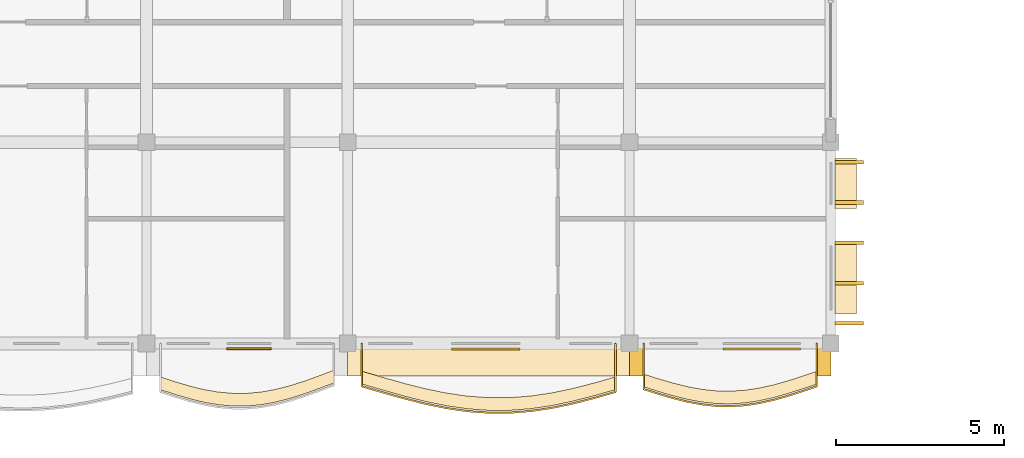
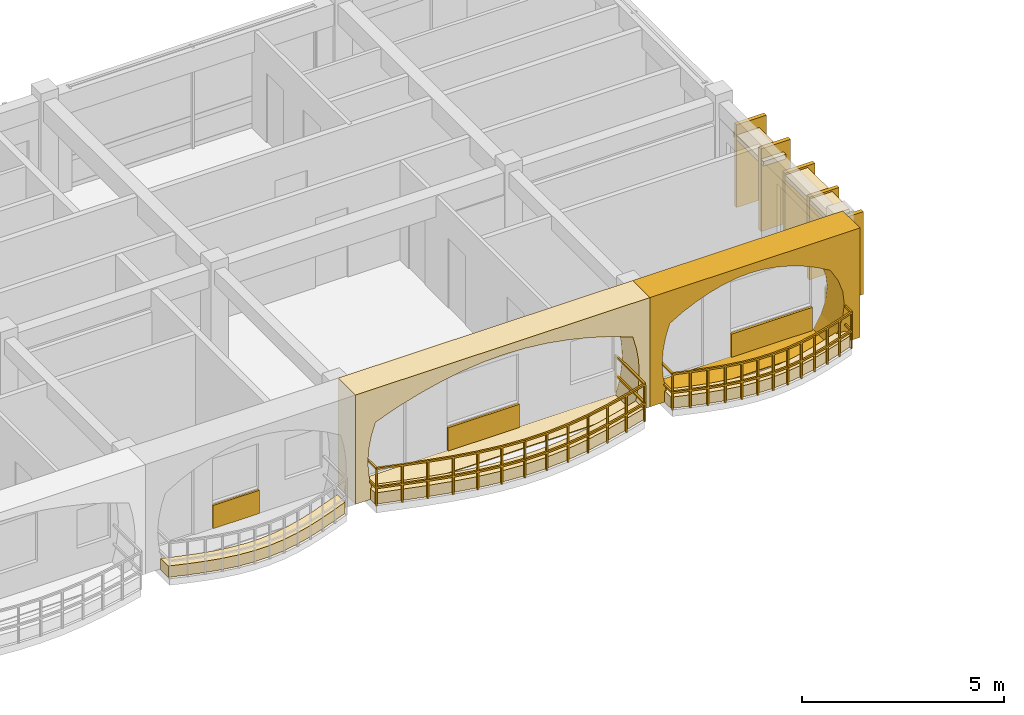
# One storey, part 50 of 68: 15 coverings, 2 railings.
"""IFC4 building model written with IfcOpenShell, lengths in metres."""

from ifc_helpers import new_model, si_unit, direction, frame, origin, origin_2d, place, context, subcontext, project, spatial, polyline, rectangle, outline, extrude, material, layer, layer_set, type_object, element, save


model = new_model("IFC4")

# Units and contexts
model_context = context("Model", 3, precision=1e-05, world=origin(), true_north=direction((0.0, 1.0)))
body_context = subcontext(model_context, "Body", "Model", "MODEL_VIEW")
ifc_project = project(units=[si_unit("LENGTHUNIT", "METRE"), si_unit("AREAUNIT", "SQUARE_METRE"), si_unit("VOLUMEUNIT", "CUBIC_METRE"), si_unit("PLANEANGLEUNIT", "RADIAN"), si_unit("MASSUNIT", "GRAM", prefix="KILO"), si_unit("THERMODYNAMICTEMPERATUREUNIT", "KELVIN")], contexts=[model_context])

# Site, building, storey
site_placement = place(None, origin())
site = spatial("IfcSite", under=ifc_project, at=site_placement, CompositionType="ELEMENT")
building_placement = place(site_placement, origin())
building = spatial("IfcBuilding", under=site, at=building_placement, Name="Thalorik Housing Commons", CompositionType="ELEMENT")
storey_placement = place(building_placement, frame((0.0, 0.0, 24.60009765625)))
storey = spatial("IfcBuildingStorey", under=building, at=storey_placement, Name="L07", CompositionType="ELEMENT", Elevation=24.60009765625)

# Coverings
ifc_material_1 = material(Name="Cobalt blue glazed ceramic facade tile panel", Category="masonry")
ifc_layer_1 = layer(ifc_material_1, 0.06005859375, Name="Cobalt blue glazed ceramic facade tile panel", Category="masonry")
ifc_layer_set_1 = layer_set([ifc_layer_1], Name="Cobalt blue glazed ceramic facade tile panel")
covering_type_1 = type_object("IfcCoveringType", Name="ARC-CLD-BLU-60", PredefinedType="CLADDING", material=ifc_layer_set_1)
covering_1_placement = place(storey_placement, frame((47.3173828125, 8.242431640625, 0.0498046875), z_axis=(0.0, 0.0, 1.0), x_axis=(1.0, 0.0, 0.0)))
element("IfcCovering", 1, at=covering_1_placement, inside=storey, type_object=covering_type_1, Name="L07 De Stijl Recessed Window Spandrel 4219", PredefinedType="CLADDING", context=body_context, shape_type="SweptSolid", body=[
    extrude(rectangle(XDim=2.0400390625, YDim=0.06005859375, at=origin_2d()), origin(), (0.0, 0.0, 1.0), 0.699951171875),
])
ifc_material_2 = material(Name="Precast concrete C40/50", Category="concrete")
ifc_layer_2 = layer(ifc_material_2, 0.85009765625, Name="Precast concrete C40/50", Category="concrete")
ifc_layer_set_2 = layer_set([ifc_layer_2], Name="Precast concrete C40/50")
covering_type_2 = type_object("IfcCoveringType", Name="ARC-CLD-CUSH-850", PredefinedType="CLADDING", material=ifc_layer_set_2)
covering_2_placement = place(storey_placement, frame((47.39990234375, 7.8525390625, 0.0), z_axis=(0.0, 0.0, 1.0), x_axis=(1.0, 0.0, 0.0)))
element("IfcCovering", 2, at=covering_2_placement, inside=storey, type_object=covering_type_2, Name="L07 White Precast Curved Cushion Bay Frame 4218", PredefinedType="CLADDING", context=body_context, shape_type="SweptSolid", body=[
    extrude(outline(polyline([(-4.199951171875, 0.0), (4.199951171875, 0.0), (4.199951171875, 3.300048828125), (-4.199951171875, 3.300048828125), (-4.199951171875, 0.0)]), holes=[polyline([(3.71240234375, 0.02490234375), (3.8154296875, 0.40087890625), (3.877197265625, 0.776611328125), (3.897705078125, 1.152587890625), (3.877197265625, 1.5283203125), (3.8154296875, 1.904296875), (3.71240234375, 2.280029296875), (3.1005859375, 2.51123046875), (2.48876953125, 2.693115234375), (1.876953125, 2.840087890625), (1.264892578125, 2.94970703125), (0.653076171875, 3.01708984375), (0.041259765625, 3.0400390625), (-0.570556640625, 3.01708984375), (-1.1826171875, 2.94970703125), (-1.79443359375, 2.840087890625), (-2.40625, 2.693115234375), (-3.01806640625, 2.51123046875), (-3.6298828125, 2.280029296875), (-3.750244140625, 1.904296875), (-3.822509765625, 1.5283203125), (-3.8466796875, 1.152587890625), (-3.822509765625, 0.776611328125), (-3.750244140625, 0.40087890625), (-3.6298828125, 0.02490234375), (3.71240234375, 0.02490234375)])]), frame((0.0, 0.425048828125, 0.0), z_axis=(0.0, -1.0, 0.0), x_axis=(1.0, 0.0, 0.0)), (0.0, 0.0, 1.0), 0.85009765625),
])
covering_3_placement = place(storey_placement, frame((54.60009765625, 7.8525390625, 0.0), z_axis=(0.0, 0.0, 1.0), x_axis=(1.0, 0.0, 0.0)))
element("IfcCovering", 3, at=covering_3_placement, inside=storey, type_object=covering_type_2, Name="L07 White Precast Curved Cushion Bay Frame 4220", PredefinedType="CLADDING", context=body_context, shape_type="SweptSolid", body=[
    extrude(outline(polyline([(-3.0, 0.0), (3.0, 0.0), (3.0, 3.300048828125), (-3.0, 3.300048828125), (-3.0, 0.0)]), holes=[polyline([(2.14990234375, 0.02490234375), (2.372314453125, 0.407470703125), (2.505615234375, 0.7900390625), (2.550048828125, 1.172607421875), (2.505615234375, 1.554931640625), (2.372314453125, 1.9375), (2.14990234375, 2.320068359375), (1.768310546875, 2.539306640625), (1.38671875, 2.711181640625), (1.0048828125, 2.8505859375), (0.623291015625, 2.954345703125), (0.24169921875, 3.018310546875), (-0.139892578125, 3.0400390625), (-0.521728515625, 3.018310546875), (-0.9033203125, 2.954345703125), (-1.284912109375, 2.8505859375), (-1.666748046875, 2.711181640625), (-2.04833984375, 2.539306640625), (-2.429931640625, 2.320068359375), (-2.55029296875, 1.9375), (-2.62255859375, 1.554931640625), (-2.646484375, 1.172607421875), (-2.62255859375, 0.7900390625), (-2.55029296875, 0.407470703125), (-2.429931640625, 0.02490234375), (2.14990234375, 0.02490234375)])]), frame((0.0, 0.425048828125, 0.0), z_axis=(0.0, -1.0, 0.0), x_axis=(1.0, 0.0, 0.0)), (0.0, 0.0, 1.0), 0.85009765625),
])
ifc_layer_3 = layer(ifc_material_2, 0.85009765625, Name="Precast concrete C40/50", Category="concrete")
ifc_layer_set_3 = layer_set([ifc_layer_3], Name="Precast concrete C40/50")
covering_type_3 = type_object("IfcCoveringType", Name="ARC-CLD-FIN-850", PredefinedType="CLADDING", material=ifc_layer_set_3)
for number, where, z_axis, x_axis, name in (
    (4, (58.1474609375, 9.0, 0.039794921875), (0.0, 0.0, 1.0), (0.0, 1.0, 0.0), "L07 Courtyard Precast Vertical Brise-Soleil Fin 4222"),
    (5, (58.1474609375, 10.199951171875, 0.039794921875), (0.0, 0.0, 1.0), (0.0, 1.0, 0.0), "L07 Courtyard Precast Vertical Brise-Soleil Fin 4223"),
    (6, (58.1474609375, 11.39990234375, 0.039794921875), (0.0, 0.0, 1.0), (0.0, 1.0, 0.0), "L07 Courtyard Precast Vertical Brise-Soleil Fin 4224"),
    (7, (58.1474609375, 12.60009765625, 0.039794921875), (0.0, 0.0, 1.0), (0.0, 1.0, 0.0), "L07 Courtyard Precast Vertical Brise-Soleil Fin 4225"),
    (8, (58.1474609375, 13.800048828125, 0.039794921875), (0.0, 0.0, 1.0), (0.0, 1.0, 0.0), "L07 Courtyard Precast Vertical Brise-Soleil Fin 4226"),
):
    element("IfcCovering", number, at=place(storey_placement, frame(where, z_axis=z_axis, x_axis=x_axis)), inside=storey, type_object=covering_type_3, Name=name, PredefinedType="CLADDING", context=body_context, shape_type="SweptSolid", body=[
        extrude(rectangle(XDim=0.110107421875, YDim=0.85009765625, at=origin_2d()), origin(), (0.0, 0.0, 1.0), 2.4951171875),
    ])
ifc_layer_4 = layer(ifc_material_2, 0.64990234375, Name="Precast concrete C40/50", Category="concrete")
ifc_layer_set_4 = layer_set([ifc_layer_4], Name="Precast concrete C40/50")
covering_type_4 = type_object("IfcCoveringType", Name="ARC-CLD-HOOD-650", PredefinedType="CLADDING", material=ifc_layer_set_4)
covering_4_placement = place(storey_placement, frame((58.047607421875, 10.353759765625, 2.33984375), z_axis=(0.0, 0.0, 1.0), x_axis=(0.0, 1.0, 0.0)))
element("IfcCovering", 9, at=covering_4_placement, inside=storey, type_object=covering_type_4, Name="L07 Courtyard Precast Window Sun-Hood 4227", PredefinedType="CLADDING", context=body_context, shape_type="SweptSolid", body=[
    extrude(rectangle(XDim=2.139892578125, YDim=0.64990234375, at=origin_2d()), origin(), (0.0, 0.0, 1.0), 0.139892578125),
])
covering_5_placement = place(storey_placement, frame((58.047607421875, 13.163818359375, 2.08984375), z_axis=(0.0, 0.0, 1.0), x_axis=(0.0, 1.0, 0.0)))
element("IfcCovering", 10, at=covering_5_placement, inside=storey, type_object=covering_type_4, Name="L07 Courtyard Precast Window Sun-Hood 4228", PredefinedType="CLADDING", context=body_context, shape_type="SweptSolid", body=[
    extrude(rectangle(XDim=1.489990234375, YDim=0.64990234375, at=origin_2d()), origin(), (0.0, 0.0, 1.0), 0.139892578125),
])
ifc_material_3 = material(Name="Terracotta red mineral fibre-cement panel", Category="masonry")
ifc_layer_5 = layer(ifc_material_3, 0.054931640625, Name="Terracotta red mineral fibre-cement panel", Category="masonry")
ifc_layer_set_5 = layer_set([ifc_layer_5], Name="Terracotta red mineral fibre-cement panel")
covering_type_5 = type_object("IfcCoveringType", Name="ARC-CLD-RED-55", PredefinedType="CLADDING", material=ifc_layer_set_5)
covering_6_placement = place(storey_placement, frame((40.2548828125, 8.2451171875, 0.0498046875), z_axis=(0.0, 0.0, 1.0), x_axis=(1.0, 0.0, 0.0)))
element("IfcCovering", 11, at=covering_6_placement, inside=storey, type_object=covering_type_5, Name="L07 De Stijl Recessed Window Spandrel 4217", PredefinedType="CLADDING", context=body_context, shape_type="SweptSolid", body=[
    extrude(rectangle(XDim=1.320068359375, YDim=0.054931640625, at=origin_2d()), origin(), (0.0, 0.0, 1.0), 0.699951171875),
])
ifc_material_4 = material(Name="Mineral ochre architectural terracotta panel", Category="masonry")
ifc_layer_6 = layer(ifc_material_4, 0.06494140625, Name="Mineral ochre architectural terracotta panel", Category="masonry")
ifc_layer_set_6 = layer_set([ifc_layer_6], Name="Mineral ochre architectural terracotta panel")
covering_type_6 = type_object("IfcCoveringType", Name="ARC-CLD-YEL-65", PredefinedType="CLADDING", material=ifc_layer_set_6)
covering_7_placement = place(storey_placement, frame((55.5400390625, 8.239990234375, 0.0498046875), z_axis=(0.0, 0.0, 1.0), x_axis=(1.0, 0.0, 0.0)))
element("IfcCovering", 12, at=covering_7_placement, inside=storey, type_object=covering_type_6, Name="L07 De Stijl Recessed Window Spandrel 4221", PredefinedType="CLADDING", context=body_context, shape_type="SweptSolid", body=[
    extrude(rectangle(XDim=2.320068359375, YDim=0.06494140625, at=origin_2d()), origin(), (0.0, 0.0, 1.0), 0.699951171875),
])
ifc_material_5 = material(Name="Planted vegetated substrate and terracotta trough", Category="masonry")
ifc_layer_7 = layer(ifc_material_5, 0.340087890625, Name="Planted vegetated substrate and terracotta trough", Category="masonry")
ifc_layer_set_7 = layer_set([ifc_layer_7], Name="Planted vegetated substrate and terracotta trough")
covering_type_7 = type_object("IfcCoveringType", Name="ARC-COV-PLANTER", PredefinedType="USERDEFINED", material=ifc_layer_set_7)
covering_8_placement = place(storey_placement, origin())
element("IfcCovering", 13, at=covering_8_placement, inside=storey, type_object=covering_type_7, Name="L07 Balcony Slab-Edge Planted Trough 5624", ObjectType="PLANTER", PredefinedType="USERDEFINED", context=body_context, shape_type="SweptSolid", body=[
    extrude(outline(polyline([(37.6201171875, 7.021484375), (38.050048828125, 6.880859375), (38.47998046875, 6.75341796875), (38.909912109375, 6.648193359375), (39.340087890625, 6.572998046875), (39.77001953125, 6.5341796875), (40.199951171875, 6.534423828125), (40.6298828125, 6.5751953125), (41.06005859375, 6.65380859375), (41.489990234375, 6.765380859375), (41.919921875, 6.9033203125), (42.35009765625, 7.05810546875), (42.780029296875, 7.2197265625), (42.780029296875, 7.599853515625), (42.35009765625, 7.438232421875), (41.919921875, 7.283203125), (41.489990234375, 7.1455078125), (41.06005859375, 7.03369140625), (40.6298828125, 6.955078125), (40.199951171875, 6.91455078125), (39.77001953125, 6.9140625), (39.340087890625, 6.953125), (38.909912109375, 7.028076171875), (38.47998046875, 7.13330078125), (38.050048828125, 7.260986328125), (37.6201171875, 7.4013671875), (37.6201171875, 7.021484375)])), origin(), (0.0, 0.0, 1.0), 0.33984375),
])
covering_9_placement = place(storey_placement, origin())
element("IfcCovering", 14, at=covering_9_placement, inside=storey, type_object=covering_type_7, Name="L07 Balcony Slab-Edge Planted Trough 5625", ObjectType="PLANTER", PredefinedType="USERDEFINED", context=body_context, shape_type="SweptSolid", body=[
    extrude(outline(polyline([(43.6201171875, 7.19140625), (44.25, 7.0087890625), (44.8798828125, 6.831787109375), (45.510009765625, 6.6728515625), (46.139892578125, 6.543212890625), (46.77001953125, 6.45166015625), (47.39990234375, 6.40478515625), (48.030029296875, 6.406005859375), (48.659912109375, 6.455322265625), (49.2900390625, 6.54931640625), (49.919921875, 6.681884765625), (50.550048828125, 6.84375), (51.179931640625, 7.023681640625), (51.179931640625, 7.40380859375), (50.550048828125, 7.2236328125), (49.919921875, 7.061767578125), (49.2900390625, 6.92919921875), (48.659912109375, 6.835205078125), (48.030029296875, 6.785888671875), (47.39990234375, 6.784912109375), (46.77001953125, 6.831787109375), (46.139892578125, 6.923095703125), (45.510009765625, 7.052978515625), (44.8798828125, 7.2119140625), (44.25, 7.388671875), (43.6201171875, 7.571533203125), (43.6201171875, 7.19140625)])), origin(), (0.0, 0.0, 1.0), 0.33984375),
])
covering_10_placement = place(storey_placement, origin())
element("IfcCovering", 15, at=covering_10_placement, inside=storey, type_object=covering_type_7, Name="L07 Balcony Slab-Edge Planted Trough 5626", ObjectType="PLANTER", PredefinedType="USERDEFINED", context=body_context, shape_type="SweptSolid", body=[
    extrude(outline(polyline([(52.02001953125, 7.107177734375), (52.449951171875, 6.970947265625), (52.8798828125, 6.84423828125), (53.31005859375, 6.73681640625), (53.739990234375, 6.656494140625), (54.169921875, 6.609375), (54.60009765625, 6.598876953125), (55.030029296875, 6.62646484375), (55.4599609375, 6.68994140625), (55.889892578125, 6.785400390625), (56.320068359375, 6.906494140625), (56.75, 7.044189453125), (57.179931640625, 7.189453125), (57.179931640625, 7.5693359375), (56.75, 7.42431640625), (56.320068359375, 7.28662109375), (55.889892578125, 7.16552734375), (55.4599609375, 7.070068359375), (55.030029296875, 7.00634765625), (54.60009765625, 6.97900390625), (54.169921875, 6.989501953125), (53.739990234375, 7.03662109375), (53.31005859375, 7.116943359375), (52.8798828125, 7.224365234375), (52.449951171875, 7.350830078125), (52.02001953125, 7.4873046875), (52.02001953125, 7.107177734375)])), origin(), (0.0, 0.0, 1.0), 0.33984375),
])

# Railings
ifc_material_6 = material(Name="Steel S355", Category="steel")
railing_type_1 = type_object("IfcRailingType", Name="ARC-RL-BAL-112", PredefinedType="BALUSTRADE", material=ifc_material_6)
railing_1_placement = place(storey_placement, frame((52.02001953125, 8.39990234375, 0.0)))
element("IfcRailing", 16, at=railing_1_placement, inside=storey, type_object=railing_type_1, Name="L07 Cushion Balcony Guardrail 310", PredefinedType="BALUSTRADE", context=body_context, shape_type="SweptSolid", body=[
    extrude(rectangle(XDim=0.050048828125, YDim=0.050048828125, at=origin_2d()), frame((0.0, 0.0, 1.09521484375), z_axis=(0.0, -1.0, 0.0), x_axis=(1.0, 0.0, 0.0)), (0.0, 0.0, 1.0), 1.36279296875),
    extrude(rectangle(XDim=0.050048828125, YDim=0.050048828125, at=origin_2d()), frame((0.0, 0.0, 0.53515625), z_axis=(0.0, -1.0, 0.0), x_axis=(1.0, 0.0, 0.0)), (0.0, 0.0, 1.0), 1.36279296875),
    extrude(rectangle(XDim=0.050048828125, YDim=0.050048828125, at=origin_2d()), frame((0.0, -1.36279296875, 1.09521484375), z_axis=(0.953287680153, -0.302063898652, 0.0), x_axis=(0.302063898652, 0.953287680153, 0.0)), (0.0, 0.0, 1.0), 0.450927734375),
    extrude(rectangle(XDim=0.050048828125, YDim=0.050048828125, at=origin_2d()), frame((0.0, -1.36279296875, 0.53515625), z_axis=(0.953287680153, -0.302063898652, 0.0), x_axis=(0.302063898652, 0.953287680153, 0.0)), (0.0, 0.0, 1.0), 0.450927734375),
    extrude(rectangle(XDim=0.050048828125, YDim=0.050048828125, at=origin_2d()), frame((0.429931640625, -1.4990234375, 1.09521484375), z_axis=(0.959356826284, -0.282195818294, 0.0), x_axis=(0.282195818294, 0.959356826284, 0.0)), (0.0, 0.0, 1.0), 0.4482421875),
    extrude(rectangle(XDim=0.050048828125, YDim=0.050048828125, at=origin_2d()), frame((0.429931640625, -1.4990234375, 0.53515625), z_axis=(0.959356826284, -0.282195818294, 0.0), x_axis=(0.282195818294, 0.959356826284, 0.0)), (0.0, 0.0, 1.0), 0.4482421875),
    extrude(rectangle(XDim=0.050048828125, YDim=0.050048828125, at=origin_2d()), frame((0.85986328125, -1.62548828125, 1.09521484375), z_axis=(0.970207245353, -0.242276497137, 0.0), x_axis=(0.242276497137, 0.970207245353, 0.0)), (0.0, 0.0, 1.0), 0.443359375),
    extrude(rectangle(XDim=0.050048828125, YDim=0.050048828125, at=origin_2d()), frame((0.85986328125, -1.62548828125, 0.53515625), z_axis=(0.970207245353, -0.242276497137, 0.0), x_axis=(0.242276497137, 0.970207245353, 0.0)), (0.0, 0.0, 1.0), 0.443359375),
    extrude(rectangle(XDim=0.050048828125, YDim=0.050048828125, at=origin_2d()), frame((1.2900390625, -1.73291015625, 1.09521484375), z_axis=(0.982992044222, -0.183648144548, 0.0), x_axis=(0.183648144548, 0.982992044222, 0.0)), (0.0, 0.0, 1.0), 0.437255859375),
    extrude(rectangle(XDim=0.050048828125, YDim=0.050048828125, at=origin_2d()), frame((1.2900390625, -1.73291015625, 0.53515625), z_axis=(0.982992044222, -0.183648144548, 0.0), x_axis=(0.183648144548, 0.982992044222, 0.0)), (0.0, 0.0, 1.0), 0.437255859375),
    extrude(rectangle(XDim=0.050048828125, YDim=0.050048828125, at=origin_2d()), frame((1.719970703125, -1.813232421875, 1.09521484375), z_axis=(0.993986552267, -0.109502209619, 0.0), x_axis=(0.109502209619, 0.993986552267, 0.0)), (0.0, 0.0, 1.0), 0.4326171875),
    extrude(rectangle(XDim=0.050048828125, YDim=0.050048828125, at=origin_2d()), frame((1.719970703125, -1.813232421875, 0.53515625), z_axis=(0.993986552267, -0.109502209619, 0.0), x_axis=(0.109502209619, 0.993986552267, 0.0)), (0.0, 0.0, 1.0), 0.4326171875),
    extrude(rectangle(XDim=0.050048828125, YDim=0.050048828125, at=origin_2d()), frame((2.14990234375, -1.860595703125, 1.09521484375), z_axis=(0.99970235323, -0.024396822468, 0.0), x_axis=(0.024396822468, 0.99970235323, 0.0)), (0.0, 0.0, 1.0), 0.430419921875),
    extrude(rectangle(XDim=0.050048828125, YDim=0.050048828125, at=origin_2d()), frame((2.14990234375, -1.860595703125, 0.53515625), z_axis=(0.99970235323, -0.024396822468, 0.0), x_axis=(0.024396822468, 0.99970235323, 0.0)), (0.0, 0.0, 1.0), 0.430419921875),
    extrude(rectangle(XDim=0.050048828125, YDim=0.050048828125, at=origin_2d()), frame((2.580078125, -1.87109375, 1.09521484375), z_axis=(0.997947564423, 0.064036385451, 0.0), x_axis=(-0.064036385451, 0.997947564423, 0.0)), (0.0, 0.0, 1.0), 0.430908203125),
    extrude(rectangle(XDim=0.050048828125, YDim=0.050048828125, at=origin_2d()), frame((2.580078125, -1.87109375, 0.53515625), z_axis=(0.997947564423, 0.064036385451, 0.0), x_axis=(-0.064036385451, 0.997947564423, 0.0)), (0.0, 0.0, 1.0), 0.430908203125),
    extrude(rectangle(XDim=0.050048828125, YDim=0.050048828125, at=origin_2d()), frame((3.010009765625, -1.843505859375, 1.09521484375), z_axis=(0.989194412579, 0.146609734062, 0.0), x_axis=(-0.146609734062, 0.989194412579, 0.0)), (0.0, 0.0, 1.0), 0.4345703125),
    extrude(rectangle(XDim=0.050048828125, YDim=0.050048828125, at=origin_2d()), frame((3.010009765625, -1.843505859375, 0.53515625), z_axis=(0.989194412579, 0.146609734062, 0.0), x_axis=(-0.146609734062, 0.989194412579, 0.0)), (0.0, 0.0, 1.0), 0.4345703125),
    extrude(rectangle(XDim=0.050048828125, YDim=0.050048828125, at=origin_2d()), frame((3.43994140625, -1.77978515625, 1.09521484375), z_axis=(0.976226175524, 0.216754363788, 0.0), x_axis=(-0.216754363788, 0.976226175524, 0.0)), (0.0, 0.0, 1.0), 0.4404296875),
    extrude(rectangle(XDim=0.050048828125, YDim=0.050048828125, at=origin_2d()), frame((3.43994140625, -1.77978515625, 0.53515625), z_axis=(0.976226175524, 0.216754363788, 0.0), x_axis=(-0.216754363788, 0.976226175524, 0.0)), (0.0, 0.0, 1.0), 0.4404296875),
    extrude(rectangle(XDim=0.050048828125, YDim=0.050048828125, at=origin_2d()), frame((3.869873046875, -1.684326171875, 1.09521484375), z_axis=(0.962731001576, 0.270460752429, 0.0), x_axis=(-0.270460752429, 0.962731001576, 0.0)), (0.0, 0.0, 1.0), 0.44677734375),
    extrude(rectangle(XDim=0.050048828125, YDim=0.050048828125, at=origin_2d()), frame((3.869873046875, -1.684326171875, 0.53515625), z_axis=(0.962731001576, 0.270460752429, 0.0), x_axis=(-0.270460752429, 0.962731001576, 0.0)), (0.0, 0.0, 1.0), 0.44677734375),
    extrude(rectangle(XDim=0.050048828125, YDim=0.050048828125, at=origin_2d()), frame((4.300048828125, -1.5634765625, 1.09521484375), z_axis=(0.95219157684, 0.305501556453, 0.0), x_axis=(-0.305501556453, 0.95219157684, 0.0)), (0.0, 0.0, 1.0), 0.451416015625),
    extrude(rectangle(XDim=0.050048828125, YDim=0.050048828125, at=origin_2d()), frame((4.300048828125, -1.5634765625, 0.53515625), z_axis=(0.95219157684, 0.305501556453, 0.0), x_axis=(-0.305501556453, 0.95219157684, 0.0)), (0.0, 0.0, 1.0), 0.451416015625),
    extrude(rectangle(XDim=0.050048828125, YDim=0.050048828125, at=origin_2d()), frame((4.72998046875, -1.425537109375, 1.09521484375), z_axis=(0.947547287478, 0.319615609746, 0.0), x_axis=(-0.319615609746, 0.947547287478, 0.0)), (0.0, 0.0, 1.0), 0.45361328125),
    extrude(rectangle(XDim=0.050048828125, YDim=0.050048828125, at=origin_2d()), frame((4.72998046875, -1.425537109375, 0.53515625), z_axis=(0.947547287478, 0.319615609746, 0.0), x_axis=(-0.319615609746, 0.947547287478, 0.0)), (0.0, 0.0, 1.0), 0.45361328125),
    extrude(rectangle(XDim=0.050048828125, YDim=0.050048828125, at=origin_2d()), frame((5.159912109375, -1.280517578125, 1.09521484375), z_axis=(0.0, 1.0, 0.0), x_axis=(-1.0, 0.0, 0.0)), (0.0, 0.0, 1.0), 1.280517578125),
    extrude(rectangle(XDim=0.050048828125, YDim=0.050048828125, at=origin_2d()), frame((5.159912109375, -1.280517578125, 0.53515625), z_axis=(0.0, 1.0, 0.0), x_axis=(-1.0, 0.0, 0.0)), (0.0, 0.0, 1.0), 1.280517578125),
    extrude(rectangle(XDim=0.0419921875, YDim=0.0419921875, at=origin_2d()), origin(), (0.0, 0.0, 1.0), 1.070068359375),
    extrude(rectangle(XDim=0.0419921875, YDim=0.0419921875, at=origin_2d()), frame((0.0, -1.36279296875, 0.0)), (0.0, 0.0, 1.0), 1.070068359375),
    extrude(rectangle(XDim=0.0419921875, YDim=0.0419921875, at=origin_2d()), frame((0.429931640625, -1.4990234375, 0.0)), (0.0, 0.0, 1.0), 1.070068359375),
    extrude(rectangle(XDim=0.0419921875, YDim=0.0419921875, at=origin_2d()), frame((0.85986328125, -1.62548828125, 0.0)), (0.0, 0.0, 1.0), 1.070068359375),
    extrude(rectangle(XDim=0.0419921875, YDim=0.0419921875, at=origin_2d()), frame((1.2900390625, -1.73291015625, 0.0)), (0.0, 0.0, 1.0), 1.070068359375),
    extrude(rectangle(XDim=0.0419921875, YDim=0.0419921875, at=origin_2d()), frame((1.719970703125, -1.813232421875, 0.0)), (0.0, 0.0, 1.0), 1.070068359375),
    extrude(rectangle(XDim=0.0419921875, YDim=0.0419921875, at=origin_2d()), frame((2.14990234375, -1.860595703125, 0.0)), (0.0, 0.0, 1.0), 1.070068359375),
    extrude(rectangle(XDim=0.0419921875, YDim=0.0419921875, at=origin_2d()), frame((2.580078125, -1.87109375, 0.0)), (0.0, 0.0, 1.0), 1.070068359375),
    extrude(rectangle(XDim=0.0419921875, YDim=0.0419921875, at=origin_2d()), frame((3.010009765625, -1.843505859375, 0.0)), (0.0, 0.0, 1.0), 1.070068359375),
    extrude(rectangle(XDim=0.0419921875, YDim=0.0419921875, at=origin_2d()), frame((3.43994140625, -1.77978515625, 0.0)), (0.0, 0.0, 1.0), 1.070068359375),
    extrude(rectangle(XDim=0.0419921875, YDim=0.0419921875, at=origin_2d()), frame((3.869873046875, -1.684326171875, 0.0)), (0.0, 0.0, 1.0), 1.070068359375),
    extrude(rectangle(XDim=0.0419921875, YDim=0.0419921875, at=origin_2d()), frame((4.300048828125, -1.5634765625, 0.0)), (0.0, 0.0, 1.0), 1.070068359375),
    extrude(rectangle(XDim=0.0419921875, YDim=0.0419921875, at=origin_2d()), frame((4.72998046875, -1.425537109375, 0.0)), (0.0, 0.0, 1.0), 1.070068359375),
    extrude(rectangle(XDim=0.0419921875, YDim=0.0419921875, at=origin_2d()), frame((5.159912109375, -1.280517578125, 0.0)), (0.0, 0.0, 1.0), 1.070068359375),
    extrude(rectangle(XDim=0.0419921875, YDim=0.0419921875, at=origin_2d()), frame((5.159912109375, 0.0, 0.0)), (0.0, 0.0, 1.0), 1.070068359375),
])
railing_type_2 = type_object("IfcRailingType", Name="ARC-RL-BAL-115", PredefinedType="BALUSTRADE", material=ifc_material_6)
railing_2_placement = place(storey_placement, frame((43.6201171875, 8.39990234375, 0.0)))
element("IfcRailing", 17, at=railing_2_placement, inside=storey, type_object=railing_type_2, Name="L07 Cushion Balcony Guardrail 309", PredefinedType="BALUSTRADE", context=body_context, shape_type="SweptSolid", body=[
    extrude(rectangle(XDim=0.050048828125, YDim=0.050048828125, at=origin_2d()), frame((0.0, 0.0, 1.125), z_axis=(0.0, -1.0, 0.0), x_axis=(1.0, 0.0, 0.0)), (0.0, 0.0, 1.0), 1.2783203125),
    extrude(rectangle(XDim=0.050048828125, YDim=0.050048828125, at=origin_2d()), frame((0.0, 0.0, 0.5498046875), z_axis=(0.0, -1.0, 0.0), x_axis=(1.0, 0.0, 0.0)), (0.0, 0.0, 1.0), 1.2783203125),
    extrude(rectangle(XDim=0.050048828125, YDim=0.050048828125, at=origin_2d()), frame((0.0, -1.2783203125, 1.125), z_axis=(0.960349441715, -0.27879912087, 0.0), x_axis=(0.27879912087, 0.960349441715, 0.0)), (0.0, 0.0, 1.0), 0.656005859375),
    extrude(rectangle(XDim=0.050048828125, YDim=0.050048828125, at=origin_2d()), frame((0.0, -1.2783203125, 0.5498046875), z_axis=(0.960349441715, -0.27879912087, 0.0), x_axis=(0.27879912087, 0.960349441715, 0.0)), (0.0, 0.0, 1.0), 0.656005859375),
    extrude(rectangle(XDim=0.050048828125, YDim=0.050048828125, at=origin_2d()), frame((0.6298828125, -1.461181640625, 1.125), z_axis=(0.962711699543, -0.270529450453, 0.0), x_axis=(0.270529450453, 0.962711699543, 0.0)), (0.0, 0.0, 1.0), 0.654296875),
    extrude(rectangle(XDim=0.050048828125, YDim=0.050048828125, at=origin_2d()), frame((0.6298828125, -1.461181640625, 0.5498046875), z_axis=(0.962711699543, -0.270529450453, 0.0), x_axis=(0.270529450453, 0.962711699543, 0.0)), (0.0, 0.0, 1.0), 0.654296875),
    extrude(rectangle(XDim=0.050048828125, YDim=0.050048828125, at=origin_2d()), frame((1.259765625, -1.63818359375, 1.125), z_axis=(0.969632095799, -0.244568188441, 0.0), x_axis=(0.244568188441, 0.969632095799, 0.0)), (0.0, 0.0, 1.0), 0.64990234375),
    extrude(rectangle(XDim=0.050048828125, YDim=0.050048828125, at=origin_2d()), frame((1.259765625, -1.63818359375, 0.5498046875), z_axis=(0.969632095799, -0.244568188441, 0.0), x_axis=(0.244568188441, 0.969632095799, 0.0)), (0.0, 0.0, 1.0), 0.64990234375),
    extrude(rectangle(XDim=0.050048828125, YDim=0.050048828125, at=origin_2d()), frame((1.889892578125, -1.797119140625, 1.125), z_axis=(0.979470273401, -0.201588649293, 0.0), x_axis=(0.201588649293, 0.979470273401, 0.0)), (0.0, 0.0, 1.0), 0.64306640625),
    extrude(rectangle(XDim=0.050048828125, YDim=0.050048828125, at=origin_2d()), frame((1.889892578125, -1.797119140625, 0.5498046875), z_axis=(0.979470273401, -0.201588649293, 0.0), x_axis=(0.201588649293, 0.979470273401, 0.0)), (0.0, 0.0, 1.0), 0.64306640625),
    extrude(rectangle(XDim=0.050048828125, YDim=0.050048828125, at=origin_2d()), frame((2.519775390625, -1.9267578125, 1.125), z_axis=(0.989609265753, -0.143782826291, 0.0), x_axis=(0.143782826291, 0.989609265753, 0.0)), (0.0, 0.0, 1.0), 0.63671875),
    extrude(rectangle(XDim=0.050048828125, YDim=0.050048828125, at=origin_2d()), frame((2.519775390625, -1.9267578125, 0.5498046875), z_axis=(0.989609265753, -0.143782826291, 0.0), x_axis=(0.143782826291, 0.989609265753, 0.0)), (0.0, 0.0, 1.0), 0.63671875),
    extrude(rectangle(XDim=0.050048828125, YDim=0.050048828125, at=origin_2d()), frame((3.14990234375, -2.018310546875, 1.125), z_axis=(0.997270917573, -0.07382897103, 0.0), x_axis=(0.07382897103, 0.997270917573, 0.0)), (0.0, 0.0, 1.0), 0.631591796875),
    extrude(rectangle(XDim=0.050048828125, YDim=0.050048828125, at=origin_2d()), frame((3.14990234375, -2.018310546875, 0.5498046875), z_axis=(0.997270917573, -0.07382897103, 0.0), x_axis=(0.07382897103, 0.997270917573, 0.0)), (0.0, 0.0, 1.0), 0.631591796875),
    extrude(rectangle(XDim=0.050048828125, YDim=0.050048828125, at=origin_2d()), frame((3.77978515625, -2.06494140625, 1.125), z_axis=(0.999998799082, 0.001549785043, 0.0), x_axis=(-0.001549785043, 0.999998799082, 0.0)), (0.0, 0.0, 1.0), 0.630126953125),
    extrude(rectangle(XDim=0.050048828125, YDim=0.050048828125, at=origin_2d()), frame((3.77978515625, -2.06494140625, 0.5498046875), z_axis=(0.999998799082, 0.001549785043, 0.0), x_axis=(-0.001549785043, 0.999998799082, 0.0)), (0.0, 0.0, 1.0), 0.630126953125),
    extrude(rectangle(XDim=0.050048828125, YDim=0.050048828125, at=origin_2d()), frame((4.409912109375, -2.06396484375, 1.125), z_axis=(0.996948999791, 0.078055696883, 0.0), x_axis=(-0.078055696883, 0.996948999791, 0.0)), (0.0, 0.0, 1.0), 0.6318359375),
    extrude(rectangle(XDim=0.050048828125, YDim=0.050048828125, at=origin_2d()), frame((4.409912109375, -2.06396484375, 0.5498046875), z_axis=(0.996948999791, 0.078055696883, 0.0), x_axis=(-0.078055696883, 0.996948999791, 0.0)), (0.0, 0.0, 1.0), 0.6318359375),
    extrude(rectangle(XDim=0.050048828125, YDim=0.050048828125, at=origin_2d()), frame((5.039794921875, -2.0146484375, 1.125), z_axis=(0.989056889361, 0.147534638669, 0.0), x_axis=(-0.147534638669, 0.989056889361, 0.0)), (0.0, 0.0, 1.0), 0.63720703125),
    extrude(rectangle(XDim=0.050048828125, YDim=0.050048828125, at=origin_2d()), frame((5.039794921875, -2.0146484375, 0.5498046875), z_axis=(0.989056889361, 0.147534638669, 0.0), x_axis=(-0.147534638669, 0.989056889361, 0.0)), (0.0, 0.0, 1.0), 0.63720703125),
    extrude(rectangle(XDim=0.050048828125, YDim=0.050048828125, at=origin_2d()), frame((5.669921875, -1.920654296875, 1.125), z_axis=(0.978561856119, 0.205953134834, 0.0), x_axis=(-0.205953134834, 0.978561856119, 0.0)), (0.0, 0.0, 1.0), 0.643798828125),
    extrude(rectangle(XDim=0.050048828125, YDim=0.050048828125, at=origin_2d()), frame((5.669921875, -1.920654296875, 0.5498046875), z_axis=(0.978561856119, 0.205953134834, 0.0), x_axis=(-0.205953134834, 0.978561856119, 0.0)), (0.0, 0.0, 1.0), 0.643798828125),
    extrude(rectangle(XDim=0.050048828125, YDim=0.050048828125, at=origin_2d()), frame((6.2998046875, -1.7880859375, 1.125), z_axis=(0.968554967533, 0.248799668142, 0.0), x_axis=(-0.248799668142, 0.968554967533, 0.0)), (0.0, 0.0, 1.0), 0.650634765625),
    extrude(rectangle(XDim=0.050048828125, YDim=0.050048828125, at=origin_2d()), frame((6.2998046875, -1.7880859375, 0.5498046875), z_axis=(0.968554967533, 0.248799668142, 0.0), x_axis=(-0.248799668142, 0.968554967533, 0.0)), (0.0, 0.0, 1.0), 0.650634765625),
    extrude(rectangle(XDim=0.050048828125, YDim=0.050048828125, at=origin_2d()), frame((6.929931640625, -1.626220703125, 1.125), z_axis=(0.961538010122, 0.274671904442, 0.0), x_axis=(-0.274671904442, 0.961538010122, 0.0)), (0.0, 0.0, 1.0), 0.655029296875),
    extrude(rectangle(XDim=0.050048828125, YDim=0.050048828125, at=origin_2d()), frame((6.929931640625, -1.626220703125, 0.5498046875), z_axis=(0.961538010122, 0.274671904442, 0.0), x_axis=(-0.274671904442, 0.961538010122, 0.0)), (0.0, 0.0, 1.0), 0.655029296875),
    extrude(rectangle(XDim=0.050048828125, YDim=0.050048828125, at=origin_2d()), frame((7.559814453125, -1.4462890625, 1.125), z_axis=(0.0, 1.0, 0.0), x_axis=(-1.0, 0.0, 0.0)), (0.0, 0.0, 1.0), 1.4462890625),
    extrude(rectangle(XDim=0.050048828125, YDim=0.050048828125, at=origin_2d()), frame((7.559814453125, -1.4462890625, 0.5498046875), z_axis=(0.0, 1.0, 0.0), x_axis=(-1.0, 0.0, 0.0)), (0.0, 0.0, 1.0), 1.4462890625),
    extrude(rectangle(XDim=0.0419921875, YDim=0.0419921875, at=origin_2d()), origin(), (0.0, 0.0, 1.0), 1.099853515625),
    extrude(rectangle(XDim=0.0419921875, YDim=0.0419921875, at=origin_2d()), frame((0.0, -1.2783203125, 0.0)), (0.0, 0.0, 1.0), 1.099853515625),
    extrude(rectangle(XDim=0.0419921875, YDim=0.0419921875, at=origin_2d()), frame((0.6298828125, -1.461181640625, 0.0)), (0.0, 0.0, 1.0), 1.099853515625),
    extrude(rectangle(XDim=0.0419921875, YDim=0.0419921875, at=origin_2d()), frame((1.259765625, -1.63818359375, 0.0)), (0.0, 0.0, 1.0), 1.099853515625),
    extrude(rectangle(XDim=0.0419921875, YDim=0.0419921875, at=origin_2d()), frame((1.889892578125, -1.797119140625, 0.0)), (0.0, 0.0, 1.0), 1.099853515625),
    extrude(rectangle(XDim=0.0419921875, YDim=0.0419921875, at=origin_2d()), frame((2.519775390625, -1.9267578125, 0.0)), (0.0, 0.0, 1.0), 1.099853515625),
    extrude(rectangle(XDim=0.0419921875, YDim=0.0419921875, at=origin_2d()), frame((3.14990234375, -2.018310546875, 0.0)), (0.0, 0.0, 1.0), 1.099853515625),
    extrude(rectangle(XDim=0.0419921875, YDim=0.0419921875, at=origin_2d()), frame((3.77978515625, -2.06494140625, 0.0)), (0.0, 0.0, 1.0), 1.099853515625),
    extrude(rectangle(XDim=0.0419921875, YDim=0.0419921875, at=origin_2d()), frame((4.409912109375, -2.06396484375, 0.0)), (0.0, 0.0, 1.0), 1.099853515625),
    extrude(rectangle(XDim=0.0419921875, YDim=0.0419921875, at=origin_2d()), frame((5.039794921875, -2.0146484375, 0.0)), (0.0, 0.0, 1.0), 1.099853515625),
    extrude(rectangle(XDim=0.0419921875, YDim=0.0419921875, at=origin_2d()), frame((5.669921875, -1.920654296875, 0.0)), (0.0, 0.0, 1.0), 1.099853515625),
    extrude(rectangle(XDim=0.0419921875, YDim=0.0419921875, at=origin_2d()), frame((6.2998046875, -1.7880859375, 0.0)), (0.0, 0.0, 1.0), 1.099853515625),
    extrude(rectangle(XDim=0.0419921875, YDim=0.0419921875, at=origin_2d()), frame((6.929931640625, -1.626220703125, 0.0)), (0.0, 0.0, 1.0), 1.099853515625),
    extrude(rectangle(XDim=0.0419921875, YDim=0.0419921875, at=origin_2d()), frame((7.559814453125, -1.4462890625, 0.0)), (0.0, 0.0, 1.0), 1.099853515625),
    extrude(rectangle(XDim=0.0419921875, YDim=0.0419921875, at=origin_2d()), frame((7.559814453125, 0.0, 0.0)), (0.0, 0.0, 1.0), 1.099853515625),
])

save(model, "model.ifc")
